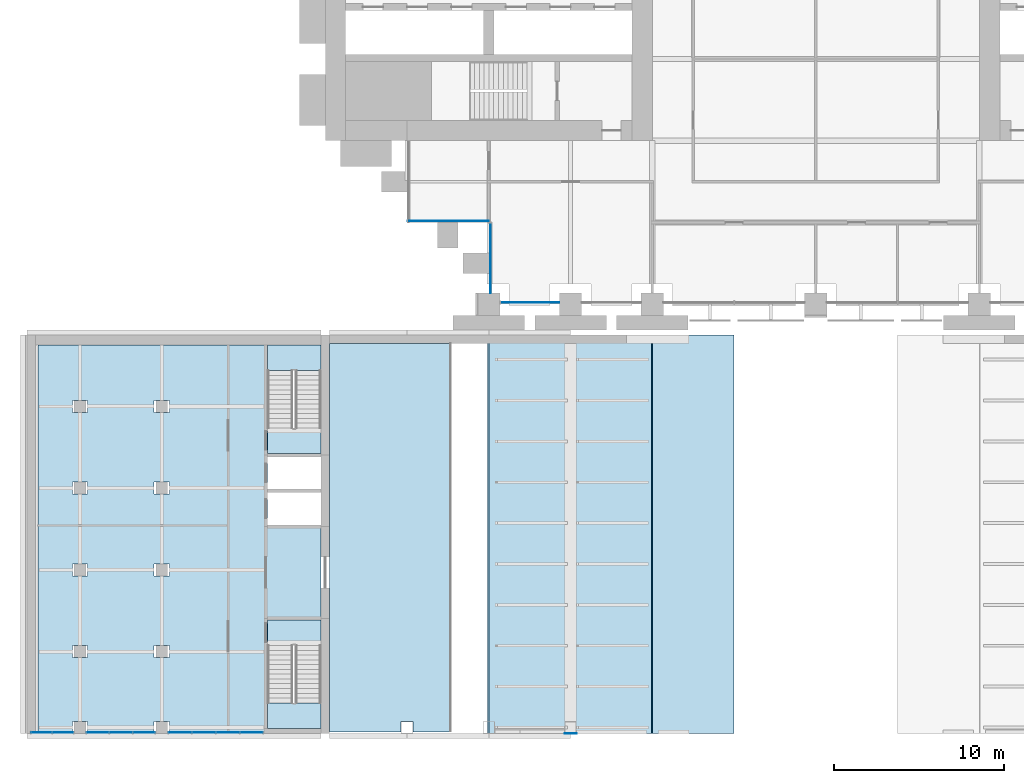
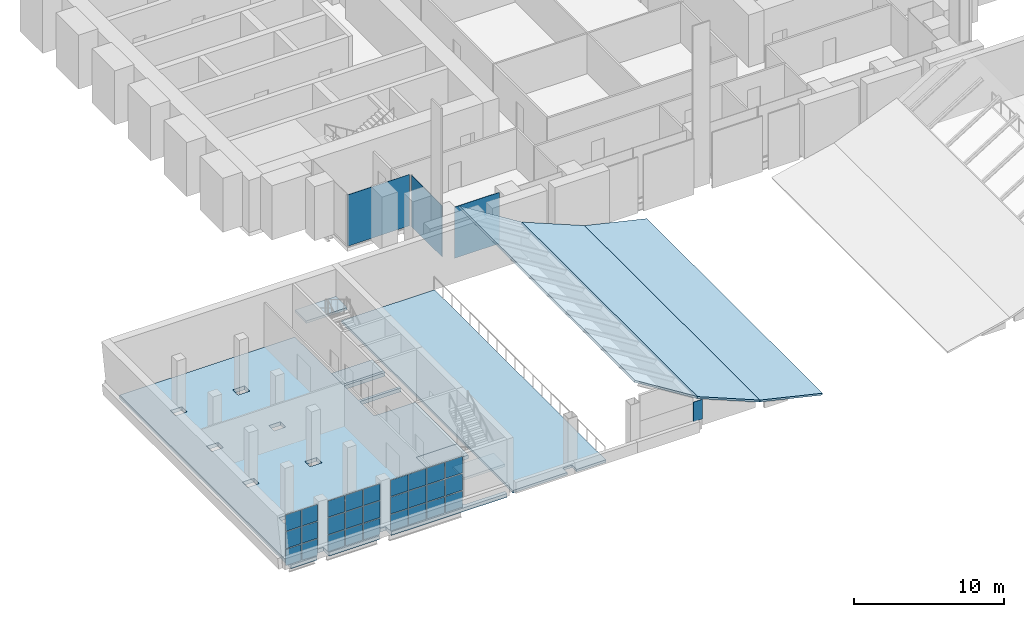
# One storey, part 16 of 32: 31 plates, 9 slabs, 8 elements without a shape of their own.
"""IFC4 building model written with IfcOpenShell, lengths in metres."""

from ifc_helpers import new_model, si_unit, direction, frame, origin, origin_2d, place, context, subcontext, project, spatial, polyline, rectangle, outline, extrude, material, layer, layer_set, type_object, element, aggregate, save


model = new_model("IFC4")

# Units and contexts
model_context = context("Model", 3, precision=1e-05, world=origin(), true_north=direction((0.0, 1.0)))
body_context = subcontext(model_context, "Body", "Model", "MODEL_VIEW")
ifc_project = project(units=[si_unit("LENGTHUNIT", "METRE"), si_unit("AREAUNIT", "SQUARE_METRE"), si_unit("VOLUMEUNIT", "CUBIC_METRE"), si_unit("PLANEANGLEUNIT", "RADIAN"), si_unit("MASSUNIT", "GRAM", prefix="KILO")], contexts=[model_context])

# Site, building, storey
site_placement = place(None, origin())
site = spatial("IfcSite", under=ifc_project, at=site_placement, CompositionType="ELEMENT")
building_placement = place(site_placement, origin())
building = spatial("IfcBuilding", under=site, at=building_placement, Name="Baori Bourse Tower", CompositionType="ELEMENT")
storey_placement = place(building_placement, frame((0.0, 0.0, 12.60009765625)))
storey = spatial("IfcBuildingStorey", under=building, at=storey_placement, Name="L01", CompositionType="ELEMENT", Elevation=12.60009765625)

# Curtain wall, plate
ifc_material_1 = material(Name="Pale anodised aluminium", Category="aluminium")
curtain_wall_type_1 = type_object("IfcCurtainWallType", Name="CW1 Curtain wall", PredefinedType="NOTDEFINED", material=ifc_material_1)
curtain_wall_1_placement = place(storey_placement, origin())
curtain_wall_1 = element("IfcCurtainWall", 1, at=curtain_wall_1_placement, inside=storey, type_object=curtain_wall_type_1, Name="Curtain wall CW1 L01 11", PredefinedType="NOTDEFINED")
ifc_material_2 = material(Name="Clear glass", Category="glass")
ifc_layer_1 = layer(ifc_material_2, 0.033935546875)
ifc_layer_set_1 = layer_set([ifc_layer_1], Name="CW1 Curtain wall panel")
plate_type_1 = type_object("IfcPlateType", Name="CW1 Curtain wall panel", PredefinedType="CURTAIN_PANEL", material=ifc_layer_set_1)
plate_1_placement = place(storey_placement, frame((12.030029296875, 0.10009765625, 0.080078125), z_axis=(0.0, 0.0, 1.0), x_axis=(1.0, 0.0, 0.0)))
plate_1 = element("IfcPlate", 2, at=plate_1_placement, type_object=plate_type_1, Name="Curtain wall CW1 panel", PredefinedType="CURTAIN_PANEL", context=body_context, shape_type="SweptSolid", body=[
    extrude(rectangle(XDim=3.43994140625, YDim=0.033935546875, at=origin_2d()), origin(), (0.0, 0.0, 1.0), 4.159912109375),
])
aggregate(curtain_wall_1, [plate_1])

ifc_material_3 = material(Name="Pale anodised aluminium", Category="aluminium")
curtain_wall_type_2 = type_object("IfcCurtainWallType", Name="CW2 Curtain wall", PredefinedType="NOTDEFINED", material=ifc_material_3)
curtain_wall_2_placement = place(storey_placement, origin())
curtain_wall_2 = element("IfcCurtainWall", 3, at=curtain_wall_2_placement, inside=storey, type_object=curtain_wall_type_2, Name="Curtain wall CW2 L01 9", PredefinedType="NOTDEFINED")
ifc_material_4 = material(Name="Clear glass", Category="glass")
ifc_layer_2 = layer(ifc_material_4, 0.030029296875)
ifc_layer_set_2 = layer_set([ifc_layer_2], Name="CW2 Curtain wall panel")
plate_type_2 = type_object("IfcPlateType", Name="CW2 Curtain wall panel", PredefinedType="CURTAIN_PANEL", material=ifc_layer_set_2)
plate_2_placement = place(storey_placement, frame((7.2275390625, 4.889892578125, 0.06982421875), z_axis=(0.0, 0.0, 1.0), x_axis=(1.0, 0.0, 0.0)))
plate_2 = element("IfcPlate", 4, at=plate_2_placement, type_object=plate_type_2, Name="Curtain wall CW2 panel", PredefinedType="CURTAIN_PANEL", context=body_context, shape_type="SweptSolid", body=[
    extrude(rectangle(XDim=4.7451171875, YDim=0.030029296875, at=origin_2d()), origin(), (0.0, 0.0, 1.0), 4.169921875),
])
aggregate(curtain_wall_2, [plate_2])

curtain_wall_3_placement = place(storey_placement, origin())
curtain_wall_3 = element("IfcCurtainWall", 5, at=curtain_wall_3_placement, inside=storey, type_object=curtain_wall_type_2, Name="Curtain wall CW2 L01 10", PredefinedType="NOTDEFINED")
plate_3_placement = place(storey_placement, frame((9.68994140625, 2.697509765625, 0.06982421875), z_axis=(0.0, 0.0, 1.0), x_axis=(0.0, -1.0, 0.0)))
plate_3 = element("IfcPlate", 6, at=plate_3_placement, type_object=plate_type_2, Name="Curtain wall CW2 panel", PredefinedType="CURTAIN_PANEL", context=body_context, shape_type="SweptSolid", body=[
    extrude(rectangle(XDim=4.094970703125, YDim=0.030029296875, at=origin_2d()), origin(), (0.0, 0.0, 1.0), 4.169921875),
])
aggregate(curtain_wall_3, [plate_3])

# Stair, slab
ifc_material_5 = material(Name="Concrete f'c 40 MPa", Category="concrete")
stair_type = type_object("IfcStairType", Name="Wing exit stair 1500", PredefinedType="HALF_TURN_STAIR", material=ifc_material_5)
stair_1_placement = place(storey_placement, origin())
stair_1 = element("IfcStair", 7, at=stair_1_placement, inside=storey, type_object=stair_type, Name="L01 Exit stair WA", PredefinedType="HALF_TURN_STAIR")
ifc_material_6 = material(Name="Concrete f'c 40 MPa", Category="concrete")
ifc_layer_3 = layer(ifc_material_6, 0.300048828125)
ifc_layer_set_3 = layer_set([ifc_layer_3], Name="Exit stair arrival landing 300")
slab_type_1 = type_object("IfcSlabType", Name="Exit stair arrival landing 300", PredefinedType="LANDING", material=ifc_layer_set_3)
slab_1_placement = place(storey_placement, frame((0.0, 0.0, -0.300048828125)))
slab_1 = element("IfcSlab", 8, at=slab_1_placement, type_object=slab_type_1, Name="L01 exit stair WA arrival landing", PredefinedType="LANDING", context=body_context, shape_type="SweptSolid", body=[
    extrude(outline(polyline([(-0.25, -7.258544921875), (-3.39990234375, -7.258544921875), (-3.39990234375, -8.760009765625), (-0.25, -8.760009765625), (-0.25, -7.258544921875)])), origin(), (0.0, 0.0, 1.0), 0.300048828125),
])

stair_2_placement = place(storey_placement, origin())
stair_2 = element("IfcStair", 9, at=stair_2_placement, inside=storey, type_object=stair_type, Name="L01 Exit stair WB", PredefinedType="HALF_TURN_STAIR")
slab_2_placement = place(storey_placement, frame((0.0, 0.0, -0.300048828125)))
slab_2 = element("IfcSlab", 10, at=slab_2_placement, type_object=slab_type_1, Name="L01 exit stair WB arrival landing", PredefinedType="LANDING", context=body_context, shape_type="SweptSolid", body=[
    extrude(outline(polyline([(-3.39990234375, -20.04150390625), (-0.25, -20.04150390625), (-0.25, -18.5400390625), (-3.39990234375, -18.5400390625), (-3.39990234375, -20.04150390625)])), origin(), (0.0, 0.0, 1.0), 0.300048828125),
])

# Slab
ifc_material_7 = material(Name="Concrete f'c 40 MPa", Category="concrete")
ifc_layer_4 = layer(ifc_material_7, 0.199951171875)
ifc_layer_set_4 = layer_set([ifc_layer_4], Name="Gallery slab 200")
slab_type_2 = type_object("IfcSlabType", Name="Gallery slab 200", PredefinedType="FLOOR", material=ifc_layer_set_4)
slab_3_placement = place(storey_placement, frame((0.0, 0.0, -0.2001953125)))
element("IfcSlab", 11, at=slab_3_placement, inside=storey, type_object=slab_type_2, Name="wing/L01/gallery/001", PredefinedType="FLOOR", context=body_context, shape_type="SweptSolid", body=[
    extrude(outline(polyline([(0.25, -2.300048828125), (0.25, -25.10009765625), (4.449951171875, -25.10009765625), (4.449951171875, -24.5), (5.14990234375, -24.5), (5.14990234375, -25.10009765625), (7.39990234375, -25.10009765625), (7.39990234375, -2.300048828125), (0.25, -2.300048828125)])), origin(), (0.0, 0.0, 1.0), 0.2001953125),
])

# Plate
ifc_material_8 = material(Name="Steel A572 Gr 50", Category="steel")
ifc_layer_5 = layer(ifc_material_8, 0.030029296875)
ifc_layer_set_5 = layer_set([ifc_layer_5], Name="Girder end plate 30")
plate_type_3 = type_object("IfcPlateType", Name="Girder end plate 30", PredefinedType="SHEET", material=ifc_layer_set_5)
plate_4_placement = place(storey_placement, frame((0.0, 0.0, 0.822021484375)))
element("IfcPlate", 12, at=plate_4_placement, inside=storey, type_object=plate_type_3, Name="Girder end plate", PredefinedType="SHEET", context=body_context, shape_type="SweptSolid", body=[
    extrude(outline(polyline([(14.050048828125, -25.22998046875), (14.75, -25.22998046875), (14.75, -25.199951171875), (14.050048828125, -25.199951171875), (14.050048828125, -25.22998046875)])), origin(), (0.0, 0.0, 1.0), 1.599853515625),
])

# Slabs
ifc_material_9 = material(Name="Concrete f'c 40 MPa", Category="concrete")
ifc_layer_6 = layer(ifc_material_9, 0.14990234375)
ifc_layer_set_6 = layer_set([ifc_layer_6], Name="Hall roof deck 150")
slab_type_3 = type_object("IfcSlabType", Name="Hall roof deck 150", PredefinedType="ROOF", material=ifc_layer_set_6)
slab_4_placement = place(storey_placement, frame((9.60009765625, -25.199951171875, 5.747314453125), z_axis=(0.530231508563, 0.0, 0.847852904298), x_axis=(0.847852904298, 0.0, -0.530231508563)))
element("IfcSlab", 13, at=slab_4_placement, inside=storey, type_object=slab_type_3, Name="wing/L01/deck/001", PredefinedType="ROOF", context=body_context, shape_type="SweptSolid", body=[
    extrude(outline(polyline([(0.0, 0.0), (5.661129027413574, 0.0), (5.661129027413574, 23.399902343749996), (0.0, 23.399902343749996), (0.0, 0.0)])), origin(), (0.0, 0.0, -1.0), 0.14990234375),
])
slab_5_placement = place(storey_placement, frame((14.39990234375, -25.199951171875, 2.74560546875), z_axis=(0.378466022499, 0.0, 0.92561518452), x_axis=(0.92561518452, 0.0, -0.378466022499)))
element("IfcSlab", 14, at=slab_5_placement, inside=storey, type_object=slab_type_3, Name="wing/L01/deck/002", PredefinedType="ROOF", context=body_context, shape_type="SweptSolid", body=[
    extrude(outline(polyline([(0.0, 0.0), (5.185793090262447, 0.0), (5.185793090262447, 23.39990234375), (0.0, 23.39990234375), (0.0, 0.0)])), origin(), (0.0, 0.0, -1.0), 0.14990234375),
])
slab_6_placement = place(storey_placement, frame((19.199951171875, -25.199951171875, 0.782958984375), z_axis=(0.22701508383, 0.0, 0.973891242241), x_axis=(0.973891242241, 0.0, -0.22701508383)))
element("IfcSlab", 15, at=slab_6_placement, inside=storey, type_object=slab_type_3, Name="wing/L01/deck/003", PredefinedType="ROOF", context=body_context, shape_type="SweptSolid", body=[
    extrude(outline(polyline([(0.0, 0.0), (4.928731895237448, 0.0), (4.928731895237448, 23.39990234375), (0.0, 23.39990234375), (0.0, 0.0)])), origin(), (0.0, 0.0, -1.0), 0.14990234375),
])
ifc_material_10 = material(Name="Concrete f'c 40 MPa", Category="concrete")
ifc_layer_7 = layer(ifc_material_10, 0.300048828125)
ifc_layer_set_7 = layer_set([ifc_layer_7], Name="Wing floor slab 300")
slab_type_4 = type_object("IfcSlabType", Name="Wing floor slab 300", PredefinedType="FLOOR", material=ifc_layer_set_7)
slab_7_placement = place(storey_placement, frame((0.0, 0.0, -0.300048828125)))
element("IfcSlab", 16, at=slab_7_placement, inside=storey, type_object=slab_type_4, Name="wing/L01/Wfloor/001", PredefinedType="FLOOR", context=body_context, shape_type="SweptSolid", body=[
    extrude(outline(polyline([(-0.25, -10.860107421875), (-3.39990234375, -10.860107421875), (-3.39990234375, -8.9599609375), (-0.25, -8.9599609375), (-0.25, -8.760009765625), (-3.39990234375, -8.760009765625), (-3.39990234375, -2.39990234375), (-16.873779296875, -2.39990234375), (-16.873779296875, -25.199951171875), (-14.85009765625, -25.199951171875), (-14.85009765625, -24.5), (-13.949951171875, -24.5), (-13.949951171875, -25.199951171875), (-10.050048828125, -25.199951171875), (-10.050048828125, -24.5), (-9.14990234375, -24.5), (-9.14990234375, -25.199951171875), (-0.25, -25.199951171875), (-0.25, -24.89990234375), (-3.39990234375, -24.89990234375), (-3.39990234375, -18.5400390625), (-0.25, -18.5400390625), (-0.25, -12.9599609375), (-3.39990234375, -12.9599609375), (-3.39990234375, -11.06005859375), (-0.25, -11.06005859375), (-0.25, -10.860107421875)]), holes=[polyline([(-14.85009765625, -20.050048828125), (-14.85009765625, -20.75), (-13.949951171875, -20.75), (-13.949951171875, -20.050048828125), (-14.85009765625, -20.050048828125)]), polyline([(-13.949951171875, -15.25), (-14.85009765625, -15.25), (-14.85009765625, -15.949951171875), (-13.949951171875, -15.949951171875), (-13.949951171875, -15.25)]), polyline([(-13.949951171875, -11.14990234375), (-13.949951171875, -10.449951171875), (-14.85009765625, -10.449951171875), (-14.85009765625, -11.14990234375), (-13.949951171875, -11.14990234375)]), polyline([(-14.85009765625, -6.35009765625), (-13.949951171875, -6.35009765625), (-13.949951171875, -5.64990234375), (-14.85009765625, -5.64990234375), (-14.85009765625, -6.35009765625)]), polyline([(-9.14990234375, -20.050048828125), (-10.050048828125, -20.050048828125), (-10.050048828125, -20.75), (-9.14990234375, -20.75), (-9.14990234375, -20.050048828125)]), polyline([(-9.14990234375, -15.949951171875), (-9.14990234375, -15.25), (-10.050048828125, -15.25), (-10.050048828125, -15.949951171875), (-9.14990234375, -15.949951171875)]), polyline([(-10.050048828125, -11.14990234375), (-9.14990234375, -11.14990234375), (-9.14990234375, -10.449951171875), (-10.050048828125, -10.449951171875), (-10.050048828125, -11.14990234375)]), polyline([(-10.050048828125, -5.64990234375), (-10.050048828125, -6.35009765625), (-9.14990234375, -6.35009765625), (-9.14990234375, -5.64990234375), (-10.050048828125, -5.64990234375)])]), origin(), (0.0, 0.0, 1.0), 0.300048828125),
])

# Curtain wall, plates
ifc_material_11 = material(Name="Pale anodised aluminium", Category="aluminium")
ifc_layer_8 = layer(ifc_material_11, 0.10009765625)
ifc_layer_set_8 = layer_set([ifc_layer_8], Name="Wing curtain wall")
curtain_wall_type_3 = type_object("IfcCurtainWallType", Name="Wing curtain wall", PredefinedType="NOTDEFINED", material=ifc_layer_set_8)
curtain_wall_4_placement = place(storey_placement, origin())
curtain_wall_4 = element("IfcCurtainWall", 17, at=curtain_wall_4_placement, inside=storey, type_object=curtain_wall_type_3, Name="wing/L01/Wcw/001", PredefinedType="NOTDEFINED")
ifc_material_12 = material(Name="Clear glass", Category="glass")
ifc_layer_9 = layer(ifc_material_12, 0.028076171875)
ifc_layer_set_9 = layer_set([ifc_layer_9], Name="Wing glass panel 28")
plate_type_4 = type_object("IfcPlateType", Name="Wing glass panel 28", PredefinedType="CURTAIN_PANEL", material=ifc_layer_set_9)
plate_5_placement = place(storey_placement, frame((-16.667236328125, -25.14990234375, 0.06005859375), z_axis=(0.0, 0.0, 1.0), x_axis=(1.0, 0.0, 0.0)))
plate_5 = element("IfcPlate", 18, at=plate_5_placement, type_object=plate_type_4, Name="X12 panel 1.1", PredefinedType="CURTAIN_PANEL", context=body_context, shape_type="SweptSolid", body=[
    extrude(rectangle(XDim=1.197998046875, YDim=0.028076171875, at=origin_2d()), origin(), (0.0, 0.0, 1.0), 1.3232421875),
])
plate_6_placement = place(storey_placement, frame((-16.667236328125, -25.14990234375, 1.443359375), z_axis=(0.0, 0.0, 1.0), x_axis=(1.0, 0.0, 0.0)))
plate_6 = element("IfcPlate", 19, at=plate_6_placement, type_object=plate_type_4, Name="X12 panel 1.2", PredefinedType="CURTAIN_PANEL", context=body_context, shape_type="SweptSolid", body=[
    extrude(rectangle(XDim=1.197998046875, YDim=0.028076171875, at=origin_2d()), origin(), (0.0, 0.0, 1.0), 1.353271484375),
])
plate_7_placement = place(storey_placement, frame((-16.667236328125, -25.14990234375, 2.856689453125), z_axis=(0.0, 0.0, 1.0), x_axis=(1.0, 0.0, 0.0)))
plate_7 = element("IfcPlate", 20, at=plate_7_placement, type_object=plate_type_4, Name="X12 panel 1.3", PredefinedType="CURTAIN_PANEL", context=body_context, shape_type="SweptSolid", body=[
    extrude(rectangle(XDim=1.197998046875, YDim=0.028076171875, at=origin_2d()), origin(), (0.0, 0.0, 1.0), 1.3232421875),
])
plate_8_placement = place(storey_placement, frame((-15.408935546875, -25.14990234375, 0.06005859375), z_axis=(0.0, 0.0, 1.0), x_axis=(1.0, 0.0, 0.0)))
plate_8 = element("IfcPlate", 21, at=plate_8_placement, type_object=plate_type_4, Name="X12 panel 2.1", PredefinedType="CURTAIN_PANEL", context=body_context, shape_type="SweptSolid", body=[
    extrude(rectangle(XDim=1.197998046875, YDim=0.028076171875, at=origin_2d()), origin(), (0.0, 0.0, 1.0), 1.3232421875),
])
plate_9_placement = place(storey_placement, frame((-15.408935546875, -25.14990234375, 1.443359375), z_axis=(0.0, 0.0, 1.0), x_axis=(1.0, 0.0, 0.0)))
plate_9 = element("IfcPlate", 22, at=plate_9_placement, type_object=plate_type_4, Name="X12 panel 2.2", PredefinedType="CURTAIN_PANEL", context=body_context, shape_type="SweptSolid", body=[
    extrude(rectangle(XDim=1.197998046875, YDim=0.028076171875, at=origin_2d()), origin(), (0.0, 0.0, 1.0), 1.353271484375),
])
plate_10_placement = place(storey_placement, frame((-15.408935546875, -25.14990234375, 2.856689453125), z_axis=(0.0, 0.0, 1.0), x_axis=(1.0, 0.0, 0.0)))
plate_10 = element("IfcPlate", 23, at=plate_10_placement, type_object=plate_type_4, Name="X12 panel 2.3", PredefinedType="CURTAIN_PANEL", context=body_context, shape_type="SweptSolid", body=[
    extrude(rectangle(XDim=1.197998046875, YDim=0.028076171875, at=origin_2d()), origin(), (0.0, 0.0, 1.0), 1.3232421875),
])
aggregate(curtain_wall_4, [plate_5, plate_6, plate_7, plate_8, plate_9, plate_10])

curtain_wall_5_placement = place(storey_placement, origin())
curtain_wall_5 = element("IfcCurtainWall", 24, at=curtain_wall_5_placement, inside=storey, type_object=curtain_wall_type_3, Name="wing/L01/Wcw/002", PredefinedType="NOTDEFINED")
plate_11_placement = place(storey_placement, frame((-13.3515625, -25.14990234375, 0.06005859375), z_axis=(0.0, 0.0, 1.0), x_axis=(1.0, 0.0, 0.0)))
plate_11 = element("IfcPlate", 25, at=plate_11_placement, type_object=plate_type_4, Name="X12 panel 1.1", PredefinedType="CURTAIN_PANEL", context=body_context, shape_type="SweptSolid", body=[
    extrude(rectangle(XDim=1.276611328125, YDim=0.028076171875, at=origin_2d()), origin(), (0.0, 0.0, 1.0), 1.3232421875),
])
plate_12_placement = place(storey_placement, frame((-13.3515625, -25.14990234375, 1.443359375), z_axis=(0.0, 0.0, 1.0), x_axis=(1.0, 0.0, 0.0)))
plate_12 = element("IfcPlate", 26, at=plate_12_placement, type_object=plate_type_4, Name="X12 panel 1.2", PredefinedType="CURTAIN_PANEL", context=body_context, shape_type="SweptSolid", body=[
    extrude(rectangle(XDim=1.276611328125, YDim=0.028076171875, at=origin_2d()), origin(), (0.0, 0.0, 1.0), 1.353271484375),
])
plate_13_placement = place(storey_placement, frame((-13.3515625, -25.14990234375, 2.856689453125), z_axis=(0.0, 0.0, 1.0), x_axis=(1.0, 0.0, 0.0)))
plate_13 = element("IfcPlate", 27, at=plate_13_placement, type_object=plate_type_4, Name="X12 panel 1.3", PredefinedType="CURTAIN_PANEL", context=body_context, shape_type="SweptSolid", body=[
    extrude(rectangle(XDim=1.276611328125, YDim=0.028076171875, at=origin_2d()), origin(), (0.0, 0.0, 1.0), 1.3232421875),
])
plate_14_placement = place(storey_placement, frame((-12.0, -25.14990234375, 0.06005859375), z_axis=(0.0, 0.0, 1.0), x_axis=(1.0, 0.0, 0.0)))
plate_14 = element("IfcPlate", 28, at=plate_14_placement, type_object=plate_type_4, Name="X12 panel 2.1", PredefinedType="CURTAIN_PANEL", context=body_context, shape_type="SweptSolid", body=[
    extrude(rectangle(XDim=1.306640625, YDim=0.028076171875, at=origin_2d()), origin(), (0.0, 0.0, 1.0), 1.3232421875),
])
plate_15_placement = place(storey_placement, frame((-12.0, -25.14990234375, 1.443359375), z_axis=(0.0, 0.0, 1.0), x_axis=(1.0, 0.0, 0.0)))
plate_15 = element("IfcPlate", 29, at=plate_15_placement, type_object=plate_type_4, Name="X12 panel 2.2", PredefinedType="CURTAIN_PANEL", context=body_context, shape_type="SweptSolid", body=[
    extrude(rectangle(XDim=1.306640625, YDim=0.028076171875, at=origin_2d()), origin(), (0.0, 0.0, 1.0), 1.353271484375),
])
plate_16_placement = place(storey_placement, frame((-12.0, -25.14990234375, 2.856689453125), z_axis=(0.0, 0.0, 1.0), x_axis=(1.0, 0.0, 0.0)))
plate_16 = element("IfcPlate", 30, at=plate_16_placement, type_object=plate_type_4, Name="X12 panel 2.3", PredefinedType="CURTAIN_PANEL", context=body_context, shape_type="SweptSolid", body=[
    extrude(rectangle(XDim=1.306640625, YDim=0.028076171875, at=origin_2d()), origin(), (0.0, 0.0, 1.0), 1.3232421875),
])
plate_17_placement = place(storey_placement, frame((-10.6484375, -25.14990234375, 0.06005859375), z_axis=(0.0, 0.0, 1.0), x_axis=(1.0, 0.0, 0.0)))
plate_17 = element("IfcPlate", 31, at=plate_17_placement, type_object=plate_type_4, Name="X12 panel 3.1", PredefinedType="CURTAIN_PANEL", context=body_context, shape_type="SweptSolid", body=[
    extrude(rectangle(XDim=1.276611328125, YDim=0.028076171875, at=origin_2d()), origin(), (0.0, 0.0, 1.0), 1.3232421875),
])
plate_18_placement = place(storey_placement, frame((-10.6484375, -25.14990234375, 1.443359375), z_axis=(0.0, 0.0, 1.0), x_axis=(1.0, 0.0, 0.0)))
plate_18 = element("IfcPlate", 32, at=plate_18_placement, type_object=plate_type_4, Name="X12 panel 3.2", PredefinedType="CURTAIN_PANEL", context=body_context, shape_type="SweptSolid", body=[
    extrude(rectangle(XDim=1.276611328125, YDim=0.028076171875, at=origin_2d()), origin(), (0.0, 0.0, 1.0), 1.353271484375),
])
plate_19_placement = place(storey_placement, frame((-10.6484375, -25.14990234375, 2.856689453125), z_axis=(0.0, 0.0, 1.0), x_axis=(1.0, 0.0, 0.0)))
plate_19 = element("IfcPlate", 33, at=plate_19_placement, type_object=plate_type_4, Name="X12 panel 3.3", PredefinedType="CURTAIN_PANEL", context=body_context, shape_type="SweptSolid", body=[
    extrude(rectangle(XDim=1.276611328125, YDim=0.028076171875, at=origin_2d()), origin(), (0.0, 0.0, 1.0), 1.3232421875),
])
aggregate(curtain_wall_5, [plate_11, plate_12, plate_13, plate_14, plate_15, plate_16, plate_17, plate_18, plate_19])

curtain_wall_6_placement = place(storey_placement, origin())
curtain_wall_6 = element("IfcCurtainWall", 34, at=curtain_wall_6_placement, inside=storey, type_object=curtain_wall_type_3, Name="wing/L01/Wcw/003", PredefinedType="NOTDEFINED")
plate_20_placement = place(storey_placement, frame((-8.52880859375, -25.14990234375, 0.06005859375), z_axis=(0.0, 0.0, 1.0), x_axis=(1.0, 0.0, 0.0)))
plate_20 = element("IfcPlate", 35, at=plate_20_placement, type_object=plate_type_4, Name="X12 panel 1.1", PredefinedType="CURTAIN_PANEL", context=body_context, shape_type="SweptSolid", body=[
    extrude(rectangle(XDim=1.322509765625, YDim=0.028076171875, at=origin_2d()), origin(), (0.0, 0.0, 1.0), 1.3232421875),
])
plate_21_placement = place(storey_placement, frame((-8.52880859375, -25.14990234375, 1.443359375), z_axis=(0.0, 0.0, 1.0), x_axis=(1.0, 0.0, 0.0)))
plate_21 = element("IfcPlate", 36, at=plate_21_placement, type_object=plate_type_4, Name="X12 panel 1.2", PredefinedType="CURTAIN_PANEL", context=body_context, shape_type="SweptSolid", body=[
    extrude(rectangle(XDim=1.322509765625, YDim=0.028076171875, at=origin_2d()), origin(), (0.0, 0.0, 1.0), 1.353271484375),
])
plate_22_placement = place(storey_placement, frame((-8.52880859375, -25.14990234375, 2.856689453125), z_axis=(0.0, 0.0, 1.0), x_axis=(1.0, 0.0, 0.0)))
plate_22 = element("IfcPlate", 37, at=plate_22_placement, type_object=plate_type_4, Name="X12 panel 1.3", PredefinedType="CURTAIN_PANEL", context=body_context, shape_type="SweptSolid", body=[
    extrude(rectangle(XDim=1.322509765625, YDim=0.028076171875, at=origin_2d()), origin(), (0.0, 0.0, 1.0), 1.3232421875),
])
plate_23_placement = place(storey_placement, frame((-7.13134765625, -25.14990234375, 0.06005859375), z_axis=(0.0, 0.0, 1.0), x_axis=(1.0, 0.0, 0.0)))
plate_23 = element("IfcPlate", 38, at=plate_23_placement, type_object=plate_type_4, Name="X12 panel 2.1", PredefinedType="CURTAIN_PANEL", context=body_context, shape_type="SweptSolid", body=[
    extrude(rectangle(XDim=1.3525390625, YDim=0.028076171875, at=origin_2d()), origin(), (0.0, 0.0, 1.0), 1.3232421875),
])
plate_24_placement = place(storey_placement, frame((-7.13134765625, -25.14990234375, 1.443359375), z_axis=(0.0, 0.0, 1.0), x_axis=(1.0, 0.0, 0.0)))
plate_24 = element("IfcPlate", 39, at=plate_24_placement, type_object=plate_type_4, Name="X12 panel 2.2", PredefinedType="CURTAIN_PANEL", context=body_context, shape_type="SweptSolid", body=[
    extrude(rectangle(XDim=1.3525390625, YDim=0.028076171875, at=origin_2d()), origin(), (0.0, 0.0, 1.0), 1.353271484375),
])
plate_25_placement = place(storey_placement, frame((-7.13134765625, -25.14990234375, 2.856689453125), z_axis=(0.0, 0.0, 1.0), x_axis=(1.0, 0.0, 0.0)))
plate_25 = element("IfcPlate", 40, at=plate_25_placement, type_object=plate_type_4, Name="X12 panel 2.3", PredefinedType="CURTAIN_PANEL", context=body_context, shape_type="SweptSolid", body=[
    extrude(rectangle(XDim=1.3525390625, YDim=0.028076171875, at=origin_2d()), origin(), (0.0, 0.0, 1.0), 1.3232421875),
])
plate_26_placement = place(storey_placement, frame((-5.71875, -25.14990234375, 0.06005859375), z_axis=(0.0, 0.0, 1.0), x_axis=(1.0, 0.0, 0.0)))
plate_26 = element("IfcPlate", 41, at=plate_26_placement, type_object=plate_type_4, Name="X12 panel 3.1", PredefinedType="CURTAIN_PANEL", context=body_context, shape_type="SweptSolid", body=[
    extrude(rectangle(XDim=1.3525390625, YDim=0.028076171875, at=origin_2d()), origin(), (0.0, 0.0, 1.0), 1.3232421875),
])
plate_27_placement = place(storey_placement, frame((-5.71875, -25.14990234375, 1.443359375), z_axis=(0.0, 0.0, 1.0), x_axis=(1.0, 0.0, 0.0)))
plate_27 = element("IfcPlate", 42, at=plate_27_placement, type_object=plate_type_4, Name="X12 panel 3.2", PredefinedType="CURTAIN_PANEL", context=body_context, shape_type="SweptSolid", body=[
    extrude(rectangle(XDim=1.3525390625, YDim=0.028076171875, at=origin_2d()), origin(), (0.0, 0.0, 1.0), 1.353271484375),
])
plate_28_placement = place(storey_placement, frame((-5.71875, -25.14990234375, 2.856689453125), z_axis=(0.0, 0.0, 1.0), x_axis=(1.0, 0.0, 0.0)))
plate_28 = element("IfcPlate", 43, at=plate_28_placement, type_object=plate_type_4, Name="X12 panel 3.3", PredefinedType="CURTAIN_PANEL", context=body_context, shape_type="SweptSolid", body=[
    extrude(rectangle(XDim=1.3525390625, YDim=0.028076171875, at=origin_2d()), origin(), (0.0, 0.0, 1.0), 1.3232421875),
])
plate_29_placement = place(storey_placement, frame((-4.3212890625, -25.14990234375, 0.06005859375), z_axis=(0.0, 0.0, 1.0), x_axis=(1.0, 0.0, 0.0)))
plate_29 = element("IfcPlate", 44, at=plate_29_placement, type_object=plate_type_4, Name="X12 panel 4.1", PredefinedType="CURTAIN_PANEL", context=body_context, shape_type="SweptSolid", body=[
    extrude(rectangle(XDim=1.322509765625, YDim=0.028076171875, at=origin_2d()), origin(), (0.0, 0.0, 1.0), 1.3232421875),
])
plate_30_placement = place(storey_placement, frame((-4.3212890625, -25.14990234375, 1.443359375), z_axis=(0.0, 0.0, 1.0), x_axis=(1.0, 0.0, 0.0)))
plate_30 = element("IfcPlate", 45, at=plate_30_placement, type_object=plate_type_4, Name="X12 panel 4.2", PredefinedType="CURTAIN_PANEL", context=body_context, shape_type="SweptSolid", body=[
    extrude(rectangle(XDim=1.322509765625, YDim=0.028076171875, at=origin_2d()), origin(), (0.0, 0.0, 1.0), 1.353271484375),
])
plate_31_placement = place(storey_placement, frame((-4.3212890625, -25.14990234375, 2.856689453125), z_axis=(0.0, 0.0, 1.0), x_axis=(1.0, 0.0, 0.0)))
plate_31 = element("IfcPlate", 46, at=plate_31_placement, type_object=plate_type_4, Name="X12 panel 4.3", PredefinedType="CURTAIN_PANEL", context=body_context, shape_type="SweptSolid", body=[
    extrude(rectangle(XDim=1.322509765625, YDim=0.028076171875, at=origin_2d()), origin(), (0.0, 0.0, 1.0), 1.3232421875),
])
aggregate(curtain_wall_6, [plate_20, plate_21, plate_22, plate_23, plate_24, plate_25, plate_26, plate_27, plate_28, plate_29, plate_30, plate_31])

# Slab
ifc_material_13 = material(Name="Concrete f'c 40 MPa", Category="concrete")
ifc_layer_10 = layer(ifc_material_13, 0.199951171875)
ifc_layer_set_10 = layer_set([ifc_layer_10], Name="Wing stair landing 200")
slab_type_5 = type_object("IfcSlabType", Name="Wing stair landing 200", PredefinedType="LANDING", material=ifc_layer_set_10)
slab_8_placement = place(storey_placement, frame((0.0, 0.0, 2.0)))
slab_8 = element("IfcSlab", 47, at=slab_8_placement, type_object=slab_type_5, Name="W-STA landing 1", PredefinedType="LANDING", context=body_context, shape_type="SweptSolid", body=[
    extrude(outline(polyline([(-0.25, -3.89990234375), (-0.25, -2.39990234375), (-3.39990234375, -2.39990234375), (-3.39990234375, -3.89990234375), (-0.25, -3.89990234375)])), origin(), (0.0, 0.0, 1.0), 0.199951171875),
])

aggregate(stair_1, [slab_8, slab_1])

slab_9_placement = place(storey_placement, frame((0.0, 0.0, 2.0)))
slab_9 = element("IfcSlab", 48, at=slab_9_placement, type_object=slab_type_5, Name="W-STB landing 1", PredefinedType="LANDING", context=body_context, shape_type="SweptSolid", body=[
    extrude(outline(polyline([(-3.39990234375, -23.39990234375), (-3.39990234375, -24.89990234375), (-0.25, -24.89990234375), (-0.25, -23.39990234375), (-3.39990234375, -23.39990234375)])), origin(), (0.0, 0.0, 1.0), 0.199951171875),
])

aggregate(stair_2, [slab_9, slab_2])

save(model, "model.ifc")
